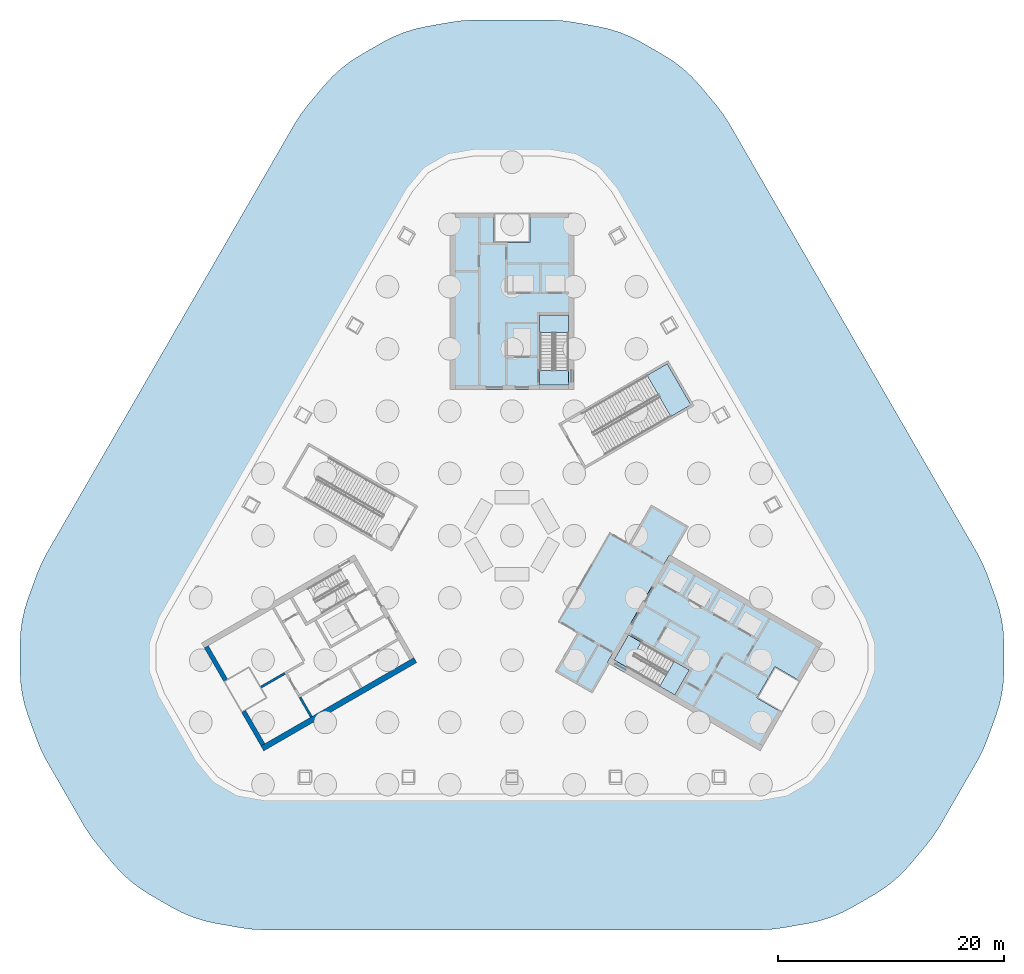
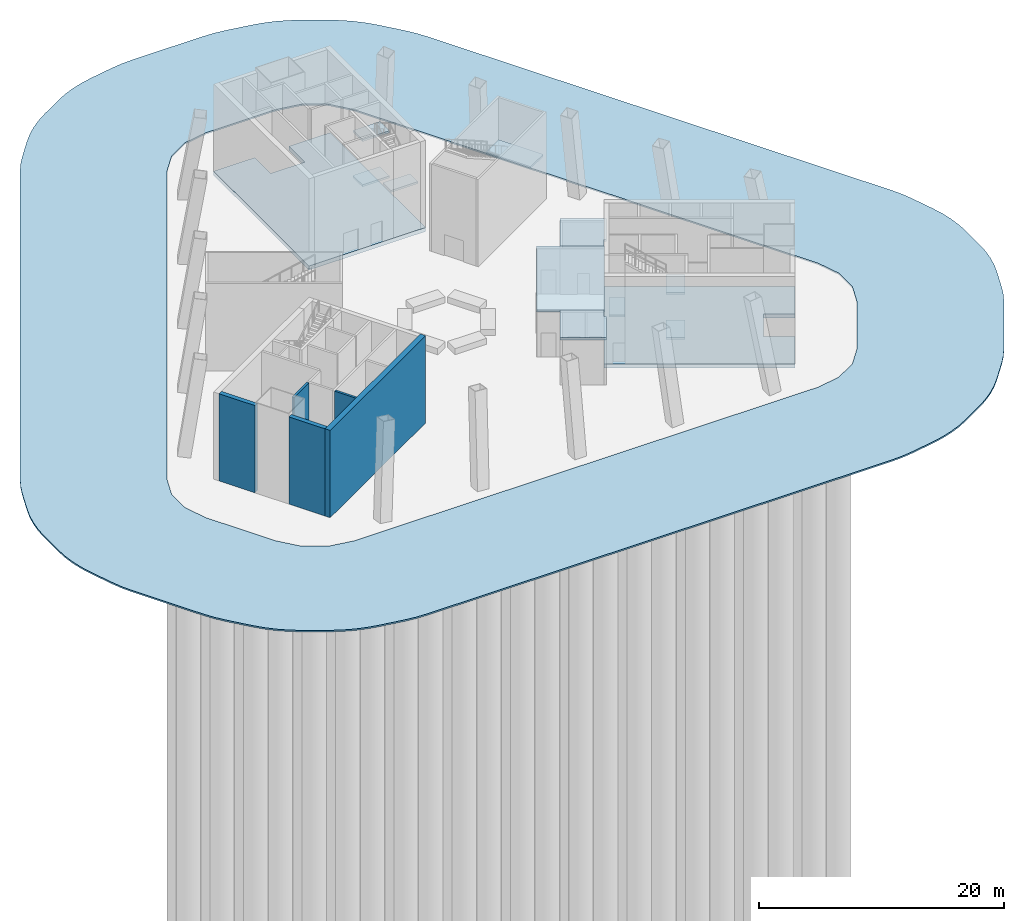
# One storey, part 2 of 10: 13 slabs, 5 walls, 3 elements without a shape of their own.
"""IFC4 building model written with IfcOpenShell, lengths in metres."""

import ifcopenshell
import ifcopenshell.guid

model = None  # the IFC model being written
_history = None  # IfcOwnerHistory: only IFC2X3 demands one
_inside = {}  # id of a spatial element -> (the spatial element, [elements in it])
_under = {}  # id of a project, library or spatial element -> (it, [spatial elements below it])
_declared = {}  # id of a project -> (the project, [libraries it declares])
_typed = {}  # id of a type object -> (the type object, [elements of that type])
_made_of = {}  # id of a material, layer set ... -> (it, [elements and type objects made of it])


def new_model(schema):
    """Start an empty IFC model of exactly this schema.

    Asked for "IFC4X3", IfcOpenShell would pick the latest addendum, in which some entities
    have other attributes; the version numbers below select the first issue.
    IFC2X3 requires an IfcOwnerHistory on every rooted entity: one is made here for all.
    """
    global model, _history
    if schema == "IFC4X3":
        model = ifcopenshell.file(schema_version=(4, 3, 0, 0))
    else:
        model = ifcopenshell.file(schema=schema)
    _inside.clear()
    _under.clear()
    _declared.clear()
    _typed.clear()
    _made_of.clear()
    _history = None
    if model.schema == "IFC2X3":
        org = make("IfcOrganization", Name="unknown")
        user = make(
            "IfcPersonAndOrganization",
            ThePerson=make("IfcPerson", FamilyName="unknown"),
            TheOrganization=org,
        )
        app = make(
            "IfcApplication",
            ApplicationDeveloper=org,
            Version="unknown",
            ApplicationFullName="unknown",
            ApplicationIdentifier="unknown",
        )
        _history = make(
            "IfcOwnerHistory",
            OwningUser=user,
            OwningApplication=app,
            ChangeAction="ADDED",
            CreationDate=0,
        )
    return model


def make(cls, **values):
    """One entity of the class cls with the attributes given. An attribute that is None is left unset."""
    return model.create_entity(
        cls, **{name: value for name, value in values.items() if value is not None}
    )


def rooted(cls, **values):
    """An entity with a GlobalId (a new one), such as an element, a storey or a relation."""
    return make(cls, GlobalId=ifcopenshell.guid.new(), OwnerHistory=_history, **values)


def si_unit(unit_type, name, prefix=None):
    """IfcSIUnit, for example si_unit("LENGTHUNIT", "METRE", prefix="MILLI")."""
    return make("IfcSIUnit", UnitType=unit_type, Prefix=prefix, Name=name)


def assignment(units):
    """IfcUnitAssignment: the units of a project."""
    return None if units is None else make("IfcUnitAssignment", Units=units)


def point(xyz):
    """IfcCartesianPoint."""
    return None if xyz is None else make("IfcCartesianPoint", Coordinates=xyz)


def direction(xyz):
    """IfcDirection."""
    return None if xyz is None else make("IfcDirection", DirectionRatios=xyz)


def frame(location, z_axis=None, x_axis=None):
    """IfcAxis2Placement3D, a coordinate frame: its origin and axes. An axis left out is left unset."""
    return make(
        "IfcAxis2Placement3D",
        Location=point(location),
        Axis=direction(z_axis),
        RefDirection=direction(x_axis),
    )


def frame_2d(location, x_axis=None):
    """IfcAxis2Placement2D, a coordinate frame in the plane: its origin and x axis."""
    return make(
        "IfcAxis2Placement2D", Location=point(location), RefDirection=direction(x_axis)
    )


def origin():
    """The frame at (0, 0, 0) with its axes left unset."""
    return frame((0.0, 0.0, 0.0))


def place(relative_to, where):
    """IfcLocalPlacement: puts the frame where relative to a parent placement (None: the world)."""
    return make(
        "IfcLocalPlacement", PlacementRelTo=relative_to, RelativePlacement=where
    )


def context(
    kind, dimensions, precision=None, world=None, true_north=None, identifier=None
):
    """IfcGeometricRepresentationContext, for example the 3D "Model" context."""
    return make(
        "IfcGeometricRepresentationContext",
        ContextIdentifier=identifier,
        ContextType=kind,
        CoordinateSpaceDimension=dimensions,
        Precision=precision,
        WorldCoordinateSystem=world,
        TrueNorth=true_north,
    )


def subcontext(parent, identifier, kind, view, scale=None):
    """IfcGeometricRepresentationSubContext, for example "Body" below "Model"."""
    return make(
        "IfcGeometricRepresentationSubContext",
        ContextIdentifier=identifier,
        ContextType=kind,
        ParentContext=parent,
        TargetScale=scale,
        TargetView=view,
    )


def project(units=None, contexts=None):
    """IfcProject with its units and contexts."""
    return rooted(
        "IfcProject",
        Name="project",
        RepresentationContexts=contexts,
        UnitsInContext=assignment(units),
    )


def spatial(cls, under=None, at=None, **own):
    """A site, building, storey or space (cls), placed at a placement, below another one or the project."""
    s = rooted(cls, ObjectPlacement=at, **own)
    if under is not None:
        _under.setdefault(under.id(), (under, []))[1].append(s)
    return s


def polyline(points):
    """IfcPolyline through the points."""
    return make("IfcPolyline", Points=[point(p) for p in points])


def profile(cls, at=None, kind="AREA", **sizes):
    """A parametric profile (cls). Its sizes go by their IFC names, for example OverallWidth=200.0."""
    return make(cls, ProfileType=kind, Position=at, **sizes)


def rectangle(**sizes):
    """IfcRectangleProfileDef."""
    return profile("IfcRectangleProfileDef", **sizes)


def outline(outer, holes=None, kind="AREA"):
    """IfcArbitraryClosedProfileDef: a profile drawn as a closed curve; with holes, ...WithVoids."""
    if holes is None:
        return make("IfcArbitraryClosedProfileDef", ProfileType=kind, OuterCurve=outer)
    return make(
        "IfcArbitraryProfileDefWithVoids",
        ProfileType=kind,
        OuterCurve=outer,
        InnerCurves=holes,
    )


def extrude(swept, where, along, depth):
    """IfcExtrudedAreaSolid: the profile swept, set in the frame where, extruded along a direction by depth."""
    return make(
        "IfcExtrudedAreaSolid",
        SweptArea=swept,
        Position=where,
        ExtrudedDirection=direction(along),
        Depth=depth,
    )


def shape(context_of_items, identifier, shape_type, items):
    """IfcShapeRepresentation: the items that make up one representation, for example the "Body"."""
    return make(
        "IfcShapeRepresentation",
        ContextOfItems=context_of_items,
        RepresentationIdentifier=identifier,
        RepresentationType=shape_type,
        Items=items,
    )


def material(Name=None, Category=None):
    """IfcMaterial."""
    return make("IfcMaterial", Name=Name, Category=Category)


def layer(
    of_material, thickness, ventilated=None, Name=None, Category=None, Priority=None
):
    """IfcMaterialLayer: one layer of a wall or slab, of a material (None: an air gap)."""
    return make(
        "IfcMaterialLayer",
        Material=of_material,
        LayerThickness=thickness,
        IsVentilated=ventilated,
        Name=Name,
        Category=Category,
        Priority=Priority,
    )


def layer_set(layers, Name=None):
    """IfcMaterialLayerSet."""
    return make("IfcMaterialLayerSet", MaterialLayers=layers, LayerSetName=Name)


def made_of(thing, what):
    """Note that an element or type object is made of a material, layer set ...; save() writes the relation."""
    if what is not None:
        _made_of.setdefault(what.id(), (what, []))[1].append(thing)
    return thing


def type_object(cls, material=None, **own):
    """A type object (cls), such as IfcWallType, which elements share."""
    return made_of(rooted(cls, **own), material)


def element(
    cls,
    number,
    at=None,
    inside=None,
    cuts=None,
    type_object=None,
    material=None,
    context=None,
    identifier="Body",
    shape_type=None,
    held_by="IfcProductDefinitionShape",
    body=None,
    shapes=None,
    **own,
):
    """One element of the class cls, such as IfcWall. Its Tag is "e" and its number.

    at: its placement. inside: the storey or other place that contains it. cuts: it is an
    opening in that element (IfcRelVoidsElement). A single representation is given by context,
    identifier, shape_type and body (its items); several are given by shapes. held_by: the class
    of the entity that holds the representations. save() writes the other relations.
    """
    e = rooted(cls, Tag="e%d" % number, ObjectPlacement=at, **own)
    if body is not None:
        shapes = [shape(context, identifier, shape_type, body)]
    if shapes is not None:
        e.Representation = make(held_by, Representations=shapes)
    if inside is not None:
        _inside.setdefault(inside.id(), (inside, []))[1].append(e)
    if cuts is not None:
        rooted(
            "IfcRelVoidsElement", RelatingBuildingElement=cuts, RelatedOpeningElement=e
        )
    if type_object is not None:
        _typed.setdefault(type_object.id(), (type_object, []))[1].append(e)
    return made_of(e, material)


def aggregate(whole, parts):
    """IfcRelAggregates: a whole, such as a stair, and the parts it consists of."""
    return rooted("IfcRelAggregates", RelatingObject=whole, RelatedObjects=parts)


def save(model, path):
    """Write the relations noted so far, then the file.

    IfcRelAggregates (storeys below a building ...), IfcRelContainedInSpatialStructure (elements
    in a storey), IfcRelDefinesByType, IfcRelAssociatesMaterial and IfcRelDeclares: one each for
    every whole, place, type object, material and project.
    """
    for whole, parts in _under.values():
        aggregate(whole, parts)
    for where, things in _inside.values():
        rooted(
            "IfcRelContainedInSpatialStructure",
            RelatedElements=things,
            RelatingStructure=where,
        )
    for kind, things in _typed.values():
        rooted("IfcRelDefinesByType", RelatedObjects=things, RelatingType=kind)
    for what, things in _made_of.values():
        rooted("IfcRelAssociatesMaterial", RelatedObjects=things, RelatingMaterial=what)
    for by, libraries in _declared.values():
        rooted("IfcRelDeclares", RelatingContext=by, RelatedDefinitions=libraries)
    model.write(path)


model = new_model("IFC4")

# Units and contexts
model_context = context("Model", 3, precision=1e-05, world=origin(), true_north=direction((0.0, 1.0)))
body_context = subcontext(model_context, "Body", "Model", "MODEL_VIEW")
ifc_project = project(units=[si_unit("LENGTHUNIT", "METRE"), si_unit("AREAUNIT", "SQUARE_METRE"), si_unit("VOLUMEUNIT", "CUBIC_METRE"), si_unit("PLANEANGLEUNIT", "RADIAN"), si_unit("MASSUNIT", "GRAM", prefix="KILO")], contexts=[model_context])

# Site, building, storey
site_placement = place(None, origin())
site = spatial("IfcSite", under=ifc_project, at=site_placement, CompositionType="ELEMENT")
building_placement = place(site_placement, origin())
building = spatial("IfcBuilding", under=site, at=building_placement, Name="Apuvela Tower Hotel", CompositionType="ELEMENT")
storey_placement = place(building_placement, origin())
storey = spatial("IfcBuildingStorey", under=building, at=storey_placement, Name="L00", CompositionType="ELEMENT", Elevation=0.0)

# Slabs
ifc_material_1 = material(Name="Concrete C50/60", Category="concrete")
ifc_layer_1 = layer(ifc_material_1, 0.39990234375)
ifc_layer_set_1 = layer_set([ifc_layer_1], Name="COR-FLOOR-400")
slab_type_1 = type_object("IfcSlabType", Name="COR-FLOOR-400", PredefinedType="FLOOR", material=ifc_layer_set_1)
slab_1_placement = place(storey_placement, frame((0.0, 0.0, -0.39990234375)))
element("IfcSlab", 1, at=slab_1_placement, inside=storey, type_object=slab_type_1, Name="Core floor N", PredefinedType="FLOOR", context=body_context, shape_type="SweptSolid", body=[
    extrude(outline(polyline([(5.5, 12.89990234375), (5.5, 28.5), (1.60009765625, 28.5), (1.60009765625, 25.89990234375), (-1.60009765625, 25.89990234375), (-1.60009765625, 28.5), (-5.5, 28.5), (-5.5, 12.89990234375), (5.5, 12.89990234375)])), origin(), (0.0, 0.0, 1.0), 0.39990234375),
])
slab_2_placement = place(storey_placement, frame((0.0, 0.0, -0.39990234375)))
element("IfcSlab", 2, at=slab_2_placement, inside=storey, type_object=slab_type_1, Name="Core floor SE", PredefinedType="FLOOR", context=body_context, shape_type="SweptSolid", body=[
    extrude(outline(polyline([(8.421630859375, -11.213134765625), (21.931640625, -19.01318359375), (23.881591796875, -15.635498046875), (21.630126953125, -14.335693359375), (23.22998046875, -11.564453125), (25.481689453125, -12.864501953125), (27.431640625, -9.48681640625), (13.921630859375, -1.68701171875), (8.421630859375, -11.213134765625)])), origin(), (0.0, 0.0, 1.0), 0.39990234375),
])

# Stair, slabs
stair_type_1 = type_object("IfcStairType", Name="COR-STAIR-52R", PredefinedType="HALF_TURN_STAIR", material=ifc_material_1)
stair_1_placement = place(storey_placement, origin())
stair_1 = element("IfcStair", 3, at=stair_1_placement, inside=storey, type_object=stair_type_1, Name="L00 Exit stair ST1", PredefinedType="HALF_TURN_STAIR")
ifc_layer_2 = layer(ifc_material_1, 0.199951171875)
ifc_layer_set_2 = layer_set([ifc_layer_2], Name="COR-LANDING-200")
slab_type_2 = type_object("IfcSlabType", Name="COR-LANDING-200", PredefinedType="LANDING", material=ifc_layer_set_2)
slab_3_placement = place(storey_placement, frame((0.0, 0.0, 2.050048828125)))
slab_3 = element("IfcSlab", 4, at=slab_3_placement, type_object=slab_type_2, Name="ST1 landing 1", PredefinedType="LANDING", context=body_context, shape_type="SweptSolid", body=[
    extrude(outline(polyline([(5.0, 17.9541015625), (5.0, 19.5), (2.449951171875, 19.5), (2.449951171875, 17.9541015625), (5.0, 17.9541015625)])), origin(), (0.0, 0.0, 1.0), 0.199951171875),
])
slab_4_placement = place(storey_placement, frame((0.0, 0.0, 4.300048828125)))
slab_4 = element("IfcSlab", 5, at=slab_4_placement, type_object=slab_type_2, Name="ST1 landing 2", PredefinedType="LANDING", context=body_context, shape_type="SweptSolid", body=[
    extrude(outline(polyline([(5.0, 13.300048828125), (5.0, 14.60595703125), (2.449951171875, 14.60595703125), (2.449951171875, 13.300048828125), (5.0, 13.300048828125)])), origin(), (0.0, 0.0, 1.0), 0.199951171875),
])
slab_5_placement = place(storey_placement, frame((0.0, 0.0, 6.550048828125)))
slab_5 = element("IfcSlab", 6, at=slab_5_placement, type_object=slab_type_2, Name="ST1 landing 3", PredefinedType="LANDING", context=body_context, shape_type="SweptSolid", body=[
    extrude(outline(polyline([(5.0, 17.9541015625), (5.0, 19.5), (2.449951171875, 19.5), (2.449951171875, 17.9541015625), (5.0, 17.9541015625)])), origin(), (0.0, 0.0, 1.0), 0.199951171875),
])
aggregate(stair_1, [slab_3, slab_4, slab_5])

stair_2_placement = place(storey_placement, origin())
stair_2 = element("IfcStair", 7, at=stair_2_placement, inside=storey, type_object=stair_type_1, Name="L00 Exit stair ST3", PredefinedType="HALF_TURN_STAIR")
slab_6_placement = place(storey_placement, frame((0.0, 0.0, 2.050048828125)))
slab_6 = element("IfcSlab", 8, at=slab_6_placement, type_object=slab_type_2, Name="ST3 landing 1", PredefinedType="LANDING", context=body_context, shape_type="SweptSolid", body=[
    extrude(outline(polyline([(13.048583984375, -13.30712890625), (14.387451171875, -14.080078125), (15.66259765625, -11.871826171875), (14.32373046875, -11.098876953125), (13.048583984375, -13.30712890625)])), origin(), (0.0, 0.0, 1.0), 0.199951171875),
])
slab_7_placement = place(storey_placement, frame((0.0, 0.0, 4.300048828125)))
slab_7 = element("IfcSlab", 9, at=slab_7_placement, type_object=slab_type_2, Name="ST3 landing 2", PredefinedType="LANDING", context=body_context, shape_type="SweptSolid", body=[
    extrude(outline(polyline([(9.01806640625, -10.980224609375), (10.149169921875, -11.633056640625), (11.424072265625, -9.4248046875), (10.293212890625, -8.771728515625), (9.01806640625, -10.980224609375)])), origin(), (0.0, 0.0, 1.0), 0.199951171875),
])
slab_8_placement = place(storey_placement, frame((0.0, 0.0, 6.550048828125)))
slab_8 = element("IfcSlab", 10, at=slab_8_placement, type_object=slab_type_2, Name="ST3 landing 3", PredefinedType="LANDING", context=body_context, shape_type="SweptSolid", body=[
    extrude(outline(polyline([(13.048583984375, -13.30712890625), (14.387451171875, -14.080078125), (15.66259765625, -11.871826171875), (14.32373046875, -11.098876953125), (13.048583984375, -13.30712890625)])), origin(), (0.0, 0.0, 1.0), 0.199951171875),
])
aggregate(stair_2, [slab_6, slab_7, slab_8])

# Stair, slab
ifc_material_2 = material(Name="Concrete C40/50", Category="concrete")
stair_type_2 = type_object("IfcStairType", Name="SPC-STAIR-PS", PredefinedType="HALF_TURN_STAIR", material=ifc_material_2)
stair_3_placement = place(storey_placement, origin())
stair_3 = element("IfcStair", 11, at=stair_3_placement, inside=storey, type_object=stair_type_2, Name="L00 Protected exit stair PS1", PredefinedType="HALF_TURN_STAIR")
ifc_layer_3 = layer(ifc_material_2, 0.199951171875)
ifc_layer_set_3 = layer_set([ifc_layer_3], Name="SPC-LANDING-PS")
slab_type_3 = type_object("IfcSlabType", Name="SPC-LANDING-PS", PredefinedType="LANDING", material=ifc_layer_set_3)
slab_9_placement = place(storey_placement, frame((0.0, 0.0, 4.300048828125)))
slab_9 = element("IfcSlab", 12, at=slab_9_placement, type_object=slab_type_3, Name="PS1 landing 1", PredefinedType="LANDING", context=body_context, shape_type="SweptSolid", body=[
    extrude(outline(polyline([(14.03173828125, 10.526123046875), (15.8115234375, 11.5537109375), (13.71142578125, 15.19091796875), (11.931884765625, 14.16357421875), (14.03173828125, 10.526123046875)])), origin(), (0.0, 0.0, 1.0), 0.199951171875),
])
aggregate(stair_3, [slab_9])

# Slabs
ifc_material_3 = material(Name="Granite paving on compacted base", Category="masonry")
ifc_layer_4 = layer(ifc_material_3, 0.14990234375)
ifc_layer_set_4 = layer_set([ifc_layer_4], Name="SPC-PAVING")
slab_type_4 = type_object("IfcSlabType", Name="SPC-PAVING", PredefinedType="USERDEFINED", material=ifc_layer_set_4)
slab_10_placement = place(storey_placement, frame((0.0, 0.0, -0.14990234375)))
element("IfcSlab", 13, at=slab_10_placement, inside=storey, type_object=slab_type_4, Name="Forecourt paving", ObjectType="PAVING", PredefinedType="USERDEFINED", context=body_context, shape_type="SweptSolid", body=[
    extrude(outline(polyline([(41.105224609375, -1.536376953125), (41.588623046875, -2.46484375), (41.9892578125, -3.43212890625), (42.7490234375, -5.51953125), (43.063720703125, -6.51806640625), (43.290283203125, -7.5400390625), (43.427001953125, -8.577880859375), (43.47265625, -9.623779296875), (43.47265625, -11.845458984375), (43.427001953125, -12.891357421875), (43.290283203125, -13.92919921875), (43.063720703125, -14.951171875), (42.7490234375, -15.94970703125), (41.9892578125, -18.037109375), (41.588623046875, -19.00439453125), (41.105224609375, -19.932861328125), (37.81494140625, -25.631591796875), (37.252685546875, -26.5146484375), (36.615234375, -27.34521484375), (35.187255859375, -29.046875), (34.47998046875, -29.81884765625), (33.708251953125, -30.52587890625), (32.877685546875, -31.163330078125), (31.994873046875, -31.725830078125), (30.07080078125, -32.83642578125), (29.142333984375, -33.31982421875), (28.175048828125, -33.720703125), (27.1767578125, -34.035400390625), (26.15478515625, -34.261962890625), (23.966796875, -34.647705078125), (22.928955078125, -34.7841796875), (21.883056640625, -34.830078125), (-21.883056640625, -34.830078125), (-22.928955078125, -34.7841796875), (-23.966796875, -34.647705078125), (-26.15478515625, -34.261962890625), (-27.1767578125, -34.035400390625), (-28.175048828125, -33.720703125), (-29.142333984375, -33.31982421875), (-30.07080078125, -32.83642578125), (-31.994873046875, -31.725830078125), (-32.877685546875, -31.163330078125), (-33.708251953125, -30.52587890625), (-34.47998046875, -29.81884765625), (-35.187255859375, -29.046875), (-36.615234375, -27.34521484375), (-37.252685546875, -26.5146484375), (-37.81494140625, -25.631591796875), (-41.105224609375, -19.932861328125), (-41.588623046875, -19.00439453125), (-41.9892578125, -18.037109375), (-42.7490234375, -15.94970703125), (-43.063720703125, -14.951171875), (-43.290283203125, -13.92919921875), (-43.427001953125, -12.891357421875), (-43.47265625, -11.845458984375), (-43.47265625, -9.623779296875), (-43.427001953125, -8.577880859375), (-43.290283203125, -7.5400390625), (-43.063720703125, -6.51806640625), (-42.7490234375, -5.51953125), (-41.9892578125, -3.43212890625), (-41.588623046875, -2.46484375), (-41.105224609375, -1.536376953125), (-19.22216796875, 36.3662109375), (-18.65966796875, 37.249267578125), (-18.022216796875, 38.079833984375), (-16.594482421875, 39.781494140625), (-15.88720703125, 40.553466796875), (-15.115234375, 41.2607421875), (-14.284912109375, 41.89794921875), (-13.40185546875, 42.46044921875), (-11.47802734375, 43.5712890625), (-10.54931640625, 44.0546875), (-9.582275390625, 44.455078125), (-8.583740234375, 44.77001953125), (-7.561767578125, 44.99658203125), (-5.3740234375, 45.38232421875), (-4.336181640625, 45.51904296875), (-3.290283203125, 45.564697265625), (3.290283203125, 45.564697265625), (4.336181640625, 45.51904296875), (5.3740234375, 45.38232421875), (7.561767578125, 44.99658203125), (8.583740234375, 44.77001953125), (9.582275390625, 44.455078125), (10.54931640625, 44.0546875), (11.47802734375, 43.5712890625), (13.40185546875, 42.46044921875), (14.284912109375, 41.89794921875), (15.115234375, 41.2607421875), (15.88720703125, 40.553466796875), (16.594482421875, 39.781494140625), (18.022216796875, 38.079833984375), (18.65966796875, 37.249267578125), (19.22216796875, 36.3662109375), (41.105224609375, -1.536376953125)]), holes=[polyline([(7.40185546875, 32.068115234375), (5.47802734375, 33.178955078125), (3.290283203125, 33.564697265625), (-3.290283203125, 33.564697265625), (-5.47802734375, 33.178955078125), (-7.40185546875, 32.068115234375), (-8.829833984375, 30.3662109375), (-30.712890625, -7.536376953125), (-31.47265625, -9.623779296875), (-31.47265625, -11.845458984375), (-30.712890625, -13.932861328125), (-27.422607421875, -19.631591796875), (-25.994873046875, -21.33349609375), (-24.07080078125, -22.444091796875), (-21.883056640625, -22.830078125), (21.883056640625, -22.830078125), (24.07080078125, -22.444091796875), (25.994873046875, -21.33349609375), (27.422607421875, -19.631591796875), (30.712890625, -13.932861328125), (31.47265625, -11.845458984375), (31.47265625, -9.623779296875), (30.712890625, -7.536376953125), (8.829833984375, 30.3662109375), (7.40185546875, 32.068115234375)])]), origin(), (0.0, 0.0, 1.0), 0.14990234375),
])
ifc_layer_5 = layer(ifc_material_2, 0.199951171875)
ifc_layer_set_5 = layer_set([ifc_layer_5], Name="SPC-ROOF-PAVILION")
slab_type_5 = type_object("IfcSlabType", Name="SPC-ROOF-PAVILION", PredefinedType="ROOF", material=ifc_layer_set_5)
slab_11_placement = place(storey_placement, frame((0.0, 0.0, 4.5)))
element("IfcSlab", 14, at=slab_11_placement, inside=storey, type_object=slab_type_5, Name="Roof of the toilets", PredefinedType="ROOF", context=body_context, shape_type="SweptSolid", body=[
    extrude(outline(polyline([(5.779052734375, -8.59033203125), (3.803955078125, -12.01123046875), (7.094970703125, -13.9111328125), (8.594970703125, -11.31298828125), (8.421630859375, -11.213134765625), (8.896728515625, -10.390380859375), (5.779052734375, -8.59033203125)])), origin(), (0.0, 0.0, 1.0), 0.199951171875),
])
slab_12_placement = place(storey_placement, frame((0.0, 0.0, 4.5)))
element("IfcSlab", 15, at=slab_12_placement, inside=storey, type_object=slab_type_5, Name="Roof of the fire command room", PredefinedType="ROOF", context=body_context, shape_type="SweptSolid", body=[
    extrude(outline(polyline([(10.3291015625, -0.709716796875), (12.303955078125, 2.711181640625), (15.594970703125, 0.811279296875), (14.094970703125, -1.786865234375), (13.921630859375, -1.68701171875), (13.44677734375, -2.509521484375), (10.3291015625, -0.709716796875)])), origin(), (0.0, 0.0, 1.0), 0.199951171875),
])
slab_13_placement = place(storey_placement, frame((0.0, 0.0, 4.5)))
element("IfcSlab", 16, at=slab_13_placement, inside=storey, type_object=slab_type_5, Name="Pavilion roof", PredefinedType="ROOF", context=body_context, shape_type="SweptSolid", body=[
    extrude(outline(polyline([(4.09033203125, -7.615478515625), (8.640380859375, 0.265380859375), (13.489990234375, -2.53466796875), (8.93994140625, -10.415283203125), (4.09033203125, -7.615478515625)])), origin(), (0.0, 0.0, 1.0), 0.199951171875),
])

# Walls
ifc_layer_6 = layer(ifc_material_1, 0.39990234375)
ifc_layer_set_6 = layer_set([ifc_layer_6], Name="COR-WALL-CORE-400")
wall_type_1 = type_object("IfcWallType", Name="COR-WALL-CORE-400", PredefinedType="SHEAR", material=ifc_layer_set_6)
wall_1_placement = place(storey_placement, frame((-23.70849609375, -15.53564453125, 0.0), z_axis=(0.0, 0.0, 1.0), x_axis=(0.500008388397, -0.866020560687, 0.0)))
element("IfcWall", 17, at=wall_1_placement, inside=storey, type_object=wall_type_1, Name="Core wall SW", PredefinedType="SHEAR", context=body_context, shape_type="SweptSolid", body=[
    extrude(rectangle(XDim=3.39990234375, YDim=0.39990234375, at=frame_2d((1.699951171875, 0.0))), origin(), (0.0, 0.0, 1.0), 8.699951171875),
])
wall_2_placement = place(storey_placement, frame((-27.008544921875, -9.81982421875, 0.0), z_axis=(0.0, 0.0, 1.0), x_axis=(0.499977295307, -0.866038511948, 0.0)))
element("IfcWall", 18, at=wall_2_placement, inside=storey, type_object=wall_type_1, Name="Core wall SW", PredefinedType="SHEAR", context=body_context, shape_type="SweptSolid", body=[
    extrude(rectangle(XDim=3.400146484375, YDim=0.39990234375, at=frame_2d((1.7001953125, 0.0))), origin(), (0.0, 0.0, 1.0), 8.699951171875),
])
ifc_layer_7 = layer(ifc_material_1, 0.5)
ifc_layer_set_7 = layer_set([ifc_layer_7], Name="COR-WALL-CORE-500")
wall_type_2 = type_object("IfcWallType", Name="COR-WALL-CORE-500", PredefinedType="SHEAR", material=ifc_layer_set_7)
wall_3_placement = place(storey_placement, frame((-8.546630859375, -10.99658203125, 0.0), z_axis=(0.0, 0.0, 1.0), x_axis=(-0.866024264262, -0.500001973705, 0.0)))
element("IfcWall", 19, at=wall_3_placement, inside=storey, type_object=wall_type_2, Name="Core wall SW", PredefinedType="SHEAR", context=body_context, shape_type="SweptSolid", body=[
    extrude(rectangle(XDim=15.60009765625, YDim=0.5, at=frame_2d((7.800048828125, 0.0))), origin(), (0.0, 0.0, 1.0), 8.699951171875),
])
ifc_layer_8 = layer(ifc_material_1, 0.199951171875)
ifc_layer_set_8 = layer_set([ifc_layer_8], Name="COR-WALL-SHAFT-200")
wall_type_3 = type_object("IfcWallType", Name="COR-WALL-SHAFT-200", PredefinedType="SHEAR", material=ifc_layer_set_8)
wall_4_placement = place(storey_placement, frame((-18.73046875, -14.278076171875, 0.0), z_axis=(0.0, 0.0, 1.0), x_axis=(0.50002537861, -0.866010750942, 0.0)))
element("IfcWall", 20, at=wall_4_placement, inside=storey, type_object=wall_type_3, Name="Shaft wall SW", PredefinedType="SHEAR", context=body_context, shape_type="SweptSolid", body=[
    extrude(rectangle(XDim=2.0, YDim=0.199951171875, at=frame_2d((1.0, 0.0))), origin(), (0.0, 0.0, 1.0), 8.699951171875),
])
wall_5_placement = place(storey_placement, frame((-20.06689453125, -12.1630859375, 0.0), z_axis=(0.0, 0.0, 1.0), x_axis=(-0.866048967903, -0.499959183527, 0.0)))
element("IfcWall", 21, at=wall_5_placement, inside=storey, type_object=wall_type_3, Name="Shaft wall SW", PredefinedType="SHEAR", context=body_context, shape_type="SweptSolid", body=[
    extrude(rectangle(XDim=2.440185546875, YDim=0.199951171875, at=frame_2d((1.22021484375, 0.0))), origin(), (0.0, 0.0, 1.0), 8.699951171875),
])

save(model, "model.ifc")
